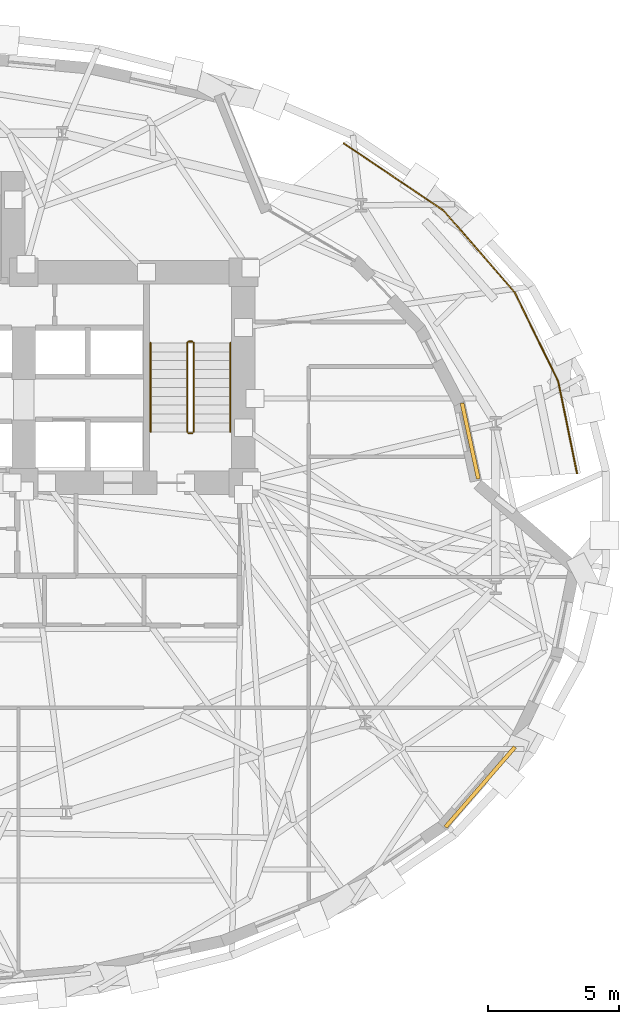
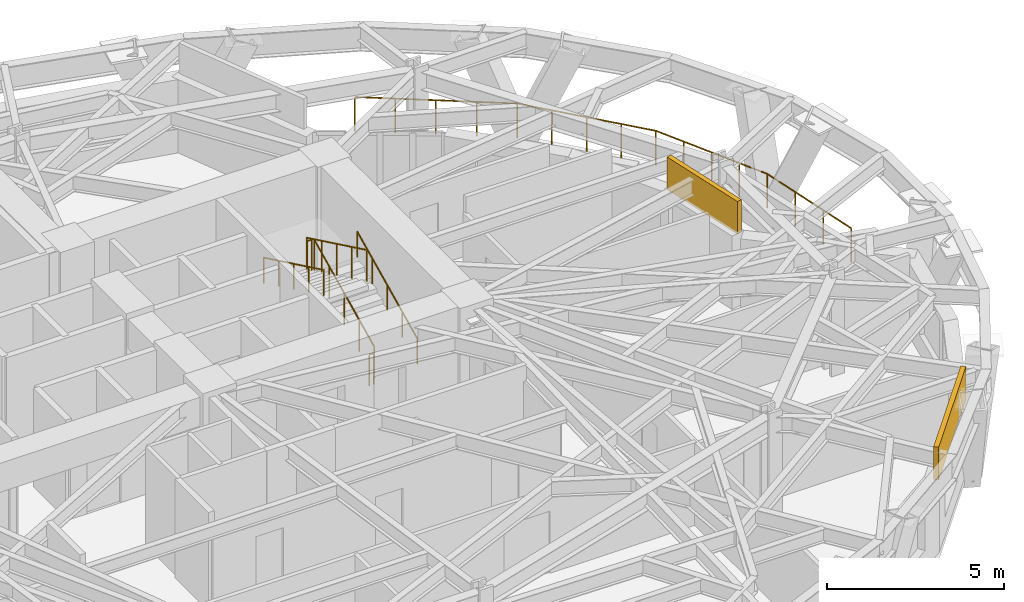
# One storey, part 14 of 15: 7 railings, 2 coverings.
"""IFC4 building model written with IfcOpenShell, lengths in metres."""

from ifc_helpers import new_model, si_unit, direction, frame, origin, origin_2d, place, context, subcontext, project, spatial, rectangle, circle, extrude, material, layer, layer_set, type_object, element, save


model = new_model("IFC4")

# Units and contexts
model_context = context("Model", 3, precision=1e-05, world=origin(), true_north=direction((0.0, 1.0)))
body_context = subcontext(model_context, "Body", "Model", "MODEL_VIEW")
ifc_project = project(units=[si_unit("LENGTHUNIT", "METRE"), si_unit("AREAUNIT", "SQUARE_METRE"), si_unit("VOLUMEUNIT", "CUBIC_METRE"), si_unit("PLANEANGLEUNIT", "RADIAN"), si_unit("MASSUNIT", "GRAM", prefix="KILO")], contexts=[model_context])

# Site, building, storey
site_placement = place(None, origin())
site = spatial("IfcSite", under=ifc_project, at=site_placement, CompositionType="ELEMENT")
building_placement = place(site_placement, origin())
building = spatial("IfcBuilding", under=site, at=building_placement, Name="Keldmark Tower", CompositionType="ELEMENT")
storey_placement = place(building_placement, frame((0.0, 0.0, 37.800048828125)))
storey = spatial("IfcBuildingStorey", under=building, at=storey_placement, Name="L09", CompositionType="ELEMENT", Elevation=37.800048828125)

# Railing
ifc_material_1 = material(Name="DuPont SentryGlas Laminated Glass and Stainless Posts", Category="glass")
railing_type_1 = type_object("IfcRailingType", Name="Heated Laminated Glass Wind-Baffle Guard 1200 mm", PredefinedType="GUARDRAIL", material=ifc_material_1)
railing_1_placement = place(storey_placement, frame((26.355712890625, 1.75830078125, 0.0)))
element("IfcRailing", 1, at=railing_1_placement, inside=storey, type_object=railing_type_1, Name="L09 Terrace Laminated Glass Wind-Baffle Guard TERR 01", PredefinedType="GUARDRAIL", context=body_context, shape_type="SweptSolid", body=[
    extrude(circle(Radius=0.02392578125, at=origin_2d()), frame((0.0, 0.0, 1.17578125), z_axis=(-0.200164302067, 0.979762344744, 0.0), x_axis=(-0.979762344744, -0.200164302067, 0.0)), (0.0, 0.0, 1.0), 3.582275390625),
    extrude(circle(Radius=0.02392578125, at=origin_2d()), frame((-0.717041015625, 3.509765625, 1.17578125), z_axis=(-0.438342538652, 0.898807998856, 0.0), x_axis=(-0.898807998856, -0.438342538652, 0.0)), (0.0, 0.0, 1.0), 3.796142578125),
    extrude(circle(Radius=0.02392578125, at=origin_2d()), frame((-2.381103515625, 6.921875, 1.17578125), z_axis=(-0.656621114194, 0.754220599291, 0.0), x_axis=(-0.754220599291, -0.656621114194, 0.0)), (0.0, 0.0, 1.0), 4.15234375),
    extrude(circle(Radius=0.02392578125, at=origin_2d()), frame((-5.107666015625, 10.0537109375, 1.17578125), z_axis=(-0.829069270875, 0.559145905906, 0.0), x_axis=(-0.559145905906, -0.829069270875, 0.0)), (0.0, 0.0, 1.0), 4.604736328125),
    extrude(circle(Radius=0.02099609375, at=origin_2d()), origin(), (0.0, 0.0, 1.0), 1.15185546875),
    extrude(circle(Radius=0.02099609375, at=origin_2d()), frame((-0.239013671875, 1.169921875, 0.0)), (0.0, 0.0, 1.0), 1.15185546875),
    extrude(circle(Radius=0.02099609375, at=origin_2d()), frame((-0.47802734375, 2.33984375, 0.0)), (0.0, 0.0, 1.0), 1.15185546875),
    extrude(circle(Radius=0.02099609375, at=origin_2d()), frame((-0.717041015625, 3.509765625, 0.0)), (0.0, 0.0, 1.0), 1.15185546875),
    extrude(circle(Radius=0.02099609375, at=origin_2d()), frame((-1.133056640625, 4.36279296875, 0.0)), (0.0, 0.0, 1.0), 1.15185546875),
    extrude(circle(Radius=0.02099609375, at=origin_2d()), frame((-1.549072265625, 5.2158203125, 0.0)), (0.0, 0.0, 1.0), 1.15185546875),
    extrude(circle(Radius=0.02099609375, at=origin_2d()), frame((-1.965087890625, 6.06884765625, 0.0)), (0.0, 0.0, 1.0), 1.15185546875),
    extrude(circle(Radius=0.02099609375, at=origin_2d()), frame((-2.381103515625, 6.921875, 0.0)), (0.0, 0.0, 1.0), 1.15185546875),
    extrude(circle(Radius=0.02099609375, at=origin_2d()), frame((-3.062744140625, 7.704833984375, 0.0)), (0.0, 0.0, 1.0), 1.15185546875),
    extrude(circle(Radius=0.02099609375, at=origin_2d()), frame((-3.744384765625, 8.48779296875, 0.0)), (0.0, 0.0, 1.0), 1.15185546875),
    extrude(circle(Radius=0.02099609375, at=origin_2d()), frame((-4.426025390625, 9.270751953125, 0.0)), (0.0, 0.0, 1.0), 1.15185546875),
    extrude(circle(Radius=0.02099609375, at=origin_2d()), frame((-5.107666015625, 10.0537109375, 0.0)), (0.0, 0.0, 1.0), 1.15185546875),
    extrude(circle(Radius=0.02099609375, at=origin_2d()), frame((-6.06201171875, 10.697265625, 0.0)), (0.0, 0.0, 1.0), 1.15185546875),
    extrude(circle(Radius=0.02099609375, at=origin_2d()), frame((-7.0166015625, 11.341064453125, 0.0)), (0.0, 0.0, 1.0), 1.15185546875),
    extrude(circle(Radius=0.02099609375, at=origin_2d()), frame((-7.970947265625, 11.98486328125, 0.0)), (0.0, 0.0, 1.0), 1.15185546875),
    extrude(circle(Radius=0.02099609375, at=origin_2d()), frame((-8.92529296875, 12.62841796875, 0.0)), (0.0, 0.0, 1.0), 1.15185546875),
])

# Coverings
ifc_material_2 = material(Name="Honed Kasota Buff Dolomitic Limestone", Category="masonry")
ifc_layer = layer(ifc_material_2, 0.074951171875)
ifc_layer_set = layer_set([ifc_layer], Name="Honed Kasota Buff Dolomitic Limestone")
covering_type = type_object("IfcCoveringType", Name="Kasota Buff Limestone Spandrel Cladding Band", PredefinedType="CLADDING", material=ifc_layer_set)
covering_1_placement = place(storey_placement, frame((22.27099609375, 3.0, 2.452880859375), z_axis=(0.0, 0.0, 1.0), x_axis=(-0.210693564792, 0.977552158074, 0.0)))
element("IfcCovering", 2, at=covering_1_placement, inside=storey, type_object=covering_type, Name="L09 Kasota Limestone Spandrel Band 01", PredefinedType="CLADDING", context=body_context, shape_type="SweptSolid", body=[
    extrude(rectangle(XDim=2.966064453125, YDim=0.14990234375, at=origin_2d()), origin(), (0.0, 0.0, 1.0), 1.126953125),
])
covering_2_placement = place(storey_placement, frame((22.655517578125, -10.231689453125, 2.452880859375), z_axis=(0.0, 0.0, 1.0), x_axis=(0.655492441101, 0.755201734412, 0.0)))
element("IfcCovering", 3, at=covering_2_placement, inside=storey, type_object=covering_type, Name="L09 Kasota Limestone Spandrel Band 29", PredefinedType="CLADDING", context=body_context, shape_type="SweptSolid", body=[
    extrude(rectangle(XDim=4.0537109375, YDim=0.14990234375, at=origin_2d()), origin(), (0.0, 0.0, 1.0), 1.126953125),
])

# Railings
ifc_material_3 = material(Name="Painted Steel ASTM A500 Grade B", Category="steel")
railing_type_2 = type_object("IfcRailingType", Name="Painted Steel Stair Well Guard 1100 mm", PredefinedType="GUARDRAIL", material=ifc_material_3)
railing_2_placement = place(storey_placement, frame((11.699951171875, 3.35009765625, 0.16357421875)))
element("IfcRailing", 4, at=railing_2_placement, inside=storey, type_object=railing_type_2, Name="L09 ST2 stair guard 1", PredefinedType="GUARDRAIL", context=body_context, shape_type="SweptSolid", body=[
    extrude(circle(Radius=0.02392578125, at=origin_2d()), frame((0.0, 0.0, 1.076171875), z_axis=(0.0, 0.901055053782, 0.433704726806), x_axis=(-1.0, 0.0, 0.0)), (0.0, 0.0, 1.0), 3.773193359375),
    extrude(circle(Radius=0.02099609375, at=origin_2d()), origin(), (0.0, 0.0, 1.0), 1.052001953125),
    extrude(circle(Radius=0.02099609375, at=origin_2d()), frame((0.0, 0.85009765625, 0.4091796875)), (0.0, 0.0, 1.0), 1.052001953125),
    extrude(circle(Radius=0.02099609375, at=origin_2d()), frame((0.0, 1.699951171875, 0.818359375)), (0.0, 0.0, 1.0), 1.052001953125),
    extrude(circle(Radius=0.02099609375, at=origin_2d()), frame((0.0, 2.5498046875, 1.227294921875)), (0.0, 0.0, 1.0), 1.052001953125),
    extrude(circle(Radius=0.02099609375, at=origin_2d()), frame((0.0, 3.39990234375, 1.636474609375)), (0.0, 0.0, 1.0), 1.052001953125),
])
railing_3_placement = place(storey_placement, frame((11.64990234375, 6.800048828125, 1.800048828125)))
element("IfcRailing", 5, at=railing_3_placement, inside=storey, type_object=railing_type_2, Name="L09 ST2 stair guard 2", PredefinedType="GUARDRAIL", context=body_context, shape_type="SweptSolid", body=[
    extrude(circle(Radius=0.02392578125, at=origin_2d()), frame((0.0, 0.0, 1.076171875), z_axis=(-1.0, 0.0, 0.0), x_axis=(0.0, -1.0, 0.0)), (0.0, 0.0, 1.0), 0.14990234375),
    extrude(circle(Radius=0.02099609375, at=origin_2d()), origin(), (0.0, 0.0, 1.0), 1.052001953125),
    extrude(circle(Radius=0.02099609375, at=origin_2d()), frame((-0.14990234375, 0.0, 0.0)), (0.0, 0.0, 1.0), 1.052001953125),
])
railing_4_placement = place(storey_placement, frame((11.449951171875, 6.75, 1.963623046875)))
element("IfcRailing", 6, at=railing_4_placement, inside=storey, type_object=railing_type_2, Name="L09 ST2 stair guard 3", PredefinedType="GUARDRAIL", context=body_context, shape_type="SweptSolid", body=[
    extrude(circle(Radius=0.02392578125, at=origin_2d()), frame((0.0, 0.0, 1.076171875), z_axis=(0.0, -0.901080338394, 0.433652192153), x_axis=(1.0, 0.0, 0.0)), (0.0, 0.0, 1.0), 3.773193359375),
    extrude(circle(Radius=0.02099609375, at=origin_2d()), origin(), (0.0, 0.0, 1.0), 1.052001953125),
    extrude(circle(Radius=0.02099609375, at=origin_2d()), frame((0.0, -0.85009765625, 0.4091796875)), (0.0, 0.0, 1.0), 1.052001953125),
    extrude(circle(Radius=0.02099609375, at=origin_2d()), frame((0.0, -1.699951171875, 0.818115234375)), (0.0, 0.0, 1.0), 1.052001953125),
    extrude(circle(Radius=0.02099609375, at=origin_2d()), frame((0.0, -2.5498046875, 1.22705078125)), (0.0, 0.0, 1.0), 1.052001953125),
    extrude(circle(Radius=0.02099609375, at=origin_2d()), frame((0.0, -3.39990234375, 1.63623046875)), (0.0, 0.0, 1.0), 1.052001953125),
])
railing_5_placement = place(storey_placement, frame((11.64990234375, 3.300048828125, 0.0)))
element("IfcRailing", 7, at=railing_5_placement, inside=storey, type_object=railing_type_2, Name="L09 ST2 stair guard 4", PredefinedType="GUARDRAIL", context=body_context, shape_type="SweptSolid", body=[
    extrude(circle(Radius=0.02392578125, at=origin_2d()), frame((0.0, 0.0, 1.076171875), z_axis=(-1.0, 0.0, 0.0), x_axis=(0.0, -1.0, 0.0)), (0.0, 0.0, 1.0), 0.14990234375),
    extrude(circle(Radius=0.02099609375, at=origin_2d()), origin(), (0.0, 0.0, 1.0), 1.052001953125),
    extrude(circle(Radius=0.02099609375, at=origin_2d()), frame((-0.14990234375, 0.0, 0.0)), (0.0, 0.0, 1.0), 1.052001953125),
])
ifc_material_4 = material(Name="Stainless Steel AISI 316L", Category="steel")
railing_type_3 = type_object("IfcRailingType", Name="Stainless Steel Stair Handrail 900 mm", PredefinedType="HANDRAIL", material=ifc_material_4)
railing_6_placement = place(storey_placement, frame((13.10009765625, 3.35009765625, 0.16357421875)))
element("IfcRailing", 8, at=railing_6_placement, inside=storey, type_object=railing_type_3, Name="L09 ST2 stair handrail 1", PredefinedType="HANDRAIL", context=body_context, shape_type="SweptSolid", body=[
    extrude(circle(Radius=0.02392578125, at=origin_2d()), frame((0.0, 0.0, 0.8759765625), z_axis=(0.0, 0.901055053782, 0.433704726806), x_axis=(-1.0, 0.0, 0.0)), (0.0, 0.0, 1.0), 3.773193359375),
    extrude(circle(Radius=0.02099609375, at=origin_2d()), origin(), (0.0, 0.0, 1.0), 0.851806640625),
    extrude(circle(Radius=0.02099609375, at=origin_2d()), frame((0.0, 0.85009765625, 0.4091796875)), (0.0, 0.0, 1.0), 0.851806640625),
    extrude(circle(Radius=0.02099609375, at=origin_2d()), frame((0.0, 1.699951171875, 0.818359375)), (0.0, 0.0, 1.0), 0.851806640625),
    extrude(circle(Radius=0.02099609375, at=origin_2d()), frame((0.0, 2.5498046875, 1.227294921875)), (0.0, 0.0, 1.0), 0.851806640625),
    extrude(circle(Radius=0.02099609375, at=origin_2d()), frame((0.0, 3.39990234375, 1.636474609375)), (0.0, 0.0, 1.0), 0.851806640625),
])
railing_7_placement = place(storey_placement, frame((10.050048828125, 6.75, 1.963623046875)))
element("IfcRailing", 9, at=railing_7_placement, inside=storey, type_object=railing_type_3, Name="L09 ST2 stair handrail 2", PredefinedType="HANDRAIL", context=body_context, shape_type="SweptSolid", body=[
    extrude(circle(Radius=0.02392578125, at=origin_2d()), frame((0.0, 0.0, 0.8759765625), z_axis=(0.0, -0.901080338394, 0.433652192153), x_axis=(1.0, 0.0, 0.0)), (0.0, 0.0, 1.0), 3.773193359375),
    extrude(circle(Radius=0.02099609375, at=origin_2d()), origin(), (0.0, 0.0, 1.0), 0.851806640625),
    extrude(circle(Radius=0.02099609375, at=origin_2d()), frame((0.0, -0.85009765625, 0.4091796875)), (0.0, 0.0, 1.0), 0.851806640625),
    extrude(circle(Radius=0.02099609375, at=origin_2d()), frame((0.0, -1.699951171875, 0.818115234375)), (0.0, 0.0, 1.0), 0.851806640625),
    extrude(circle(Radius=0.02099609375, at=origin_2d()), frame((0.0, -2.5498046875, 1.22705078125)), (0.0, 0.0, 1.0), 0.851806640625),
    extrude(circle(Radius=0.02099609375, at=origin_2d()), frame((0.0, -3.39990234375, 1.63623046875)), (0.0, 0.0, 1.0), 0.851806640625),
])

save(model, "model.ifc")
